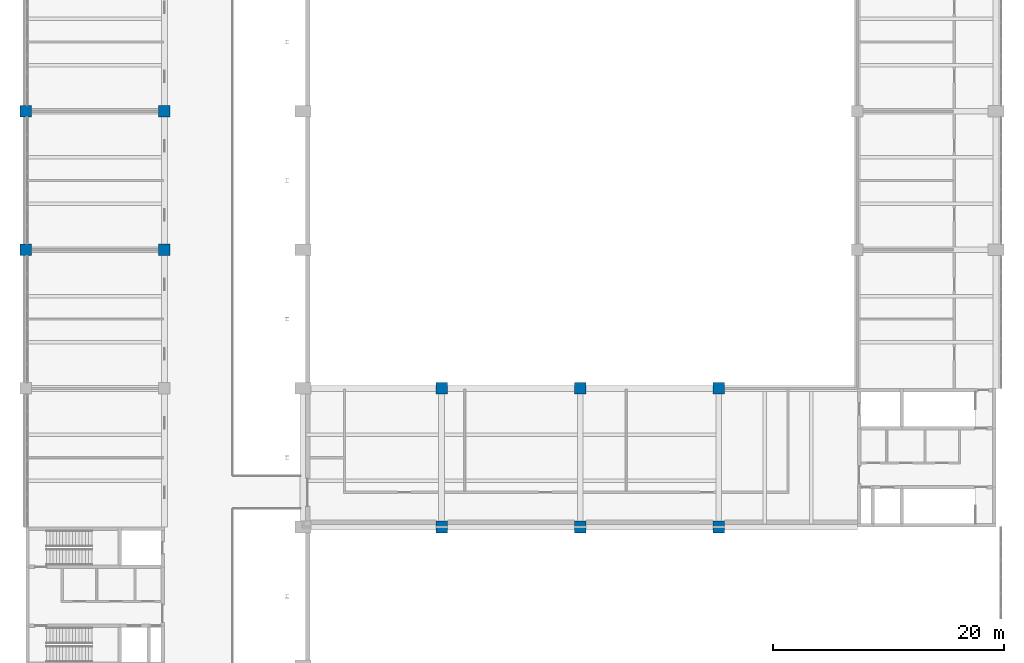
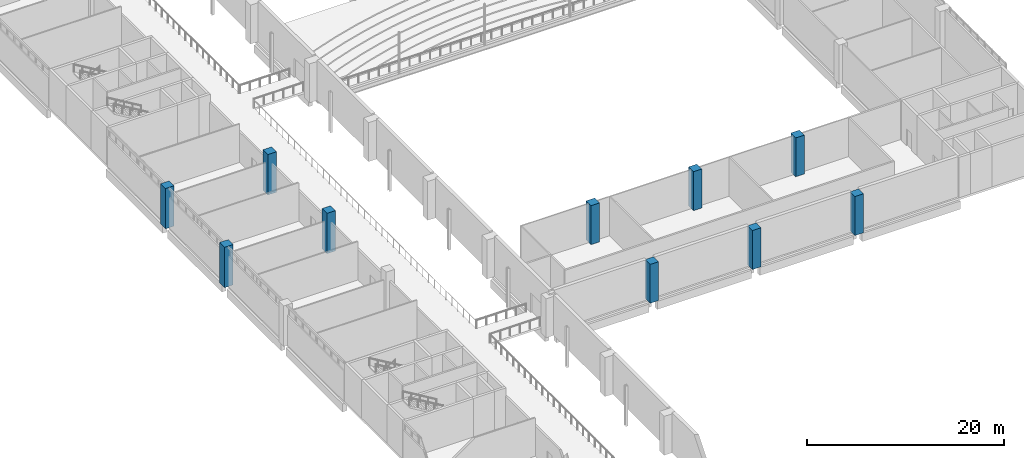
# One storey, part 5 of 69: 10 columns.
"""IFC4 building model written with IfcOpenShell, lengths in metres."""

from ifc_helpers import new_model, si_unit, direction, frame, origin, origin_2d, place, context, subcontext, project, spatial, rectangle, extrude, material, material_profile, profile_set, type_object, element, save


model = new_model("IFC4")

# Units and contexts
model_context = context("Model", 3, precision=1e-05, world=origin(), true_north=direction((0.0, 1.0)))
body_context = subcontext(model_context, "Body", "Model", "MODEL_VIEW")
ifc_project = project(units=[si_unit("LENGTHUNIT", "METRE"), si_unit("AREAUNIT", "SQUARE_METRE"), si_unit("VOLUMEUNIT", "CUBIC_METRE"), si_unit("PLANEANGLEUNIT", "RADIAN"), si_unit("MASSUNIT", "GRAM", prefix="KILO")], contexts=[model_context])

# Site, building, storey
site_placement = place(None, origin())
site = spatial("IfcSite", under=ifc_project, at=site_placement, CompositionType="ELEMENT")
building_placement = place(site_placement, origin())
building = spatial("IfcBuilding", under=site, at=building_placement, Name="Lilac Gate Convention Centre", CompositionType="ELEMENT")
storey_placement = place(building_placement, frame((0.0, 0.0, 12.0)))
storey = spatial("IfcBuildingStorey", under=building, at=storey_placement, Name="L02", CompositionType="ELEMENT", Elevation=12.0)

# Columns
ifc_material = material(Name="Concrete C40", Category="concrete")
ifc_material_profile = material_profile(ifc_material, rectangle(XDim=1.0, YDim=1.0, at=origin_2d()), Name="RC 1000x1000")
ifc_profile_set = profile_set([ifc_material_profile], Name="Concrete C40")
column_type = type_object("IfcColumnType", Name="RC column 1000x1000 C40", PredefinedType="COLUMN", material=ifc_profile_set)
for number, where, z_axis, x_axis, name in (
    (1, (6.0, 126.0, 0.0), (0.0, 0.0, 1.0), (1.0, 0.0, 0.0), "C1 L02 at 1/J"),
    (2, (6.0, 138.0, 0.0), (0.0, 0.0, 1.0), (1.0, 0.0, 0.0), "C1 L02 at 1/K"),
    (3, (18.0, 126.0, 0.0), (0.0, 0.0, 1.0), (1.0, 0.0, 0.0), "C1 L02 at 2/J"),
    (4, (18.0, 138.0, 0.0), (0.0, 0.0, 1.0), (1.0, 0.0, 0.0), "C1 L02 at 2/K"),
):
    element("IfcColumn", number, at=place(storey_placement, frame(where, z_axis=z_axis, x_axis=x_axis)), inside=storey, type_object=column_type, Name=name, PredefinedType="COLUMN", context=body_context, shape_type="SweptSolid", body=[
        extrude(rectangle(XDim=1.0, YDim=1.0, at=origin_2d()), origin(), (0.0, 0.0, 1.0), 5.0),
    ])
for number, where, z_axis, x_axis, name in (
    (5, (42.0, 102.0, 0.0), (0.0, 0.0, 1.0), (1.0, 0.0, 0.0), "C1 L02 at 4/G"),
    (6, (42.0, 114.0, 0.0), (0.0, 0.0, 1.0), (1.0, 0.0, 0.0), "C1 L02 at 4/H"),
    (7, (54.0, 102.0, 0.0), (0.0, 0.0, 1.0), (1.0, 0.0, 0.0), "C1 L02 at 5/G"),
    (8, (54.0, 114.0, 0.0), (0.0, 0.0, 1.0), (1.0, 0.0, 0.0), "C1 L02 at 5/H"),
    (9, (66.0, 102.0, 0.0), (0.0, 0.0, 1.0), (1.0, 0.0, 0.0), "C1 L02 at 6/G"),
    (10, (66.0, 114.0, 0.0), (0.0, 0.0, 1.0), (1.0, 0.0, 0.0), "C1 L02 at 6/H"),
):
    element("IfcColumn", number, at=place(storey_placement, frame(where, z_axis=z_axis, x_axis=x_axis)), inside=storey, type_object=column_type, Name=name, PredefinedType="COLUMN", context=body_context, shape_type="SweptSolid", body=[
        extrude(rectangle(XDim=1.0, YDim=1.0, at=origin_2d()), origin(), (0.0, 0.0, 1.0), 4.824951171875),
    ])

save(model, "model.ifc")
